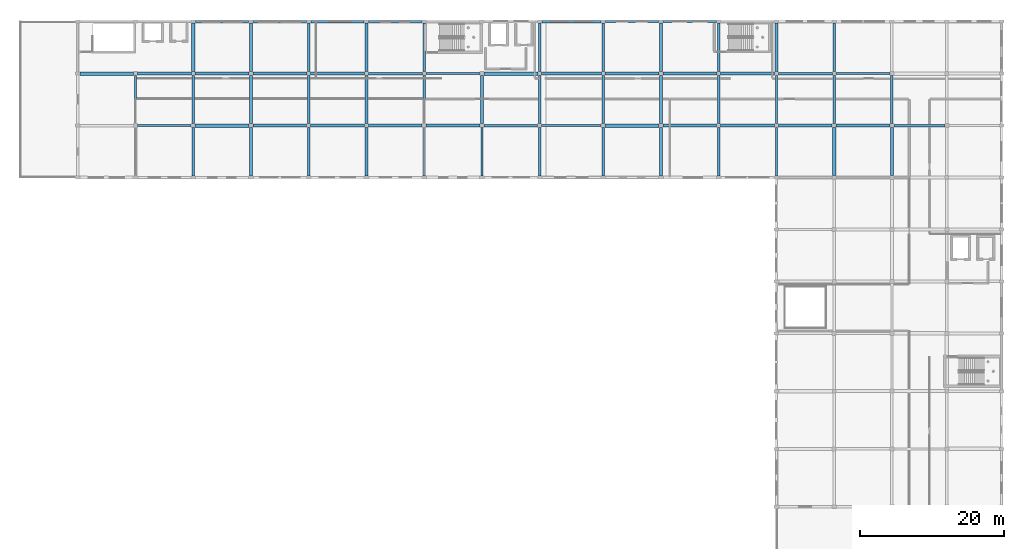
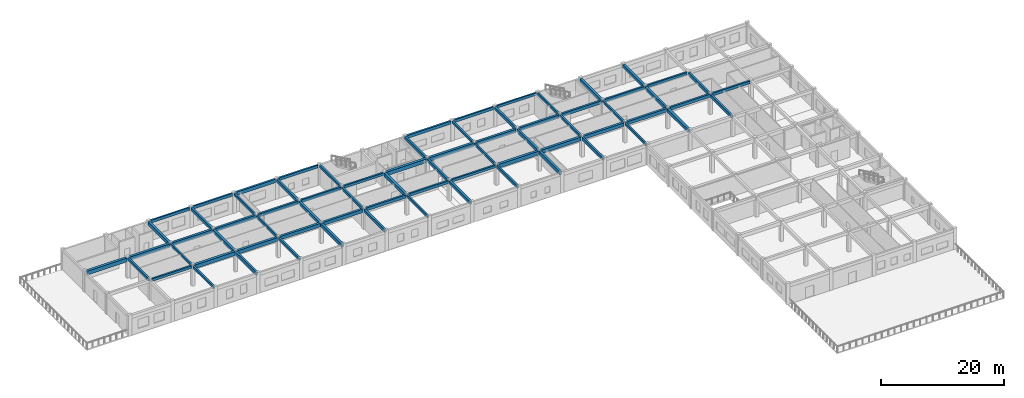
# One storey, part 7 of 19: 73 beams.
"""IFC4 building model written with IfcOpenShell, lengths in metres."""

from ifc_helpers import new_model, si_unit, direction, frame, origin, origin_2d, place, context, subcontext, project, spatial, rectangle, extrude, material, material_profile, profile_set, type_object, element, save


model = new_model("IFC4")

# Units and contexts
model_context = context("Model", 3, precision=1e-05, world=origin(), true_north=direction((0.0, 1.0)))
body_context = subcontext(model_context, "Body", "Model", "MODEL_VIEW")
ifc_project = project(units=[si_unit("LENGTHUNIT", "METRE"), si_unit("AREAUNIT", "SQUARE_METRE"), si_unit("VOLUMEUNIT", "CUBIC_METRE"), si_unit("PLANEANGLEUNIT", "RADIAN"), si_unit("MASSUNIT", "GRAM", prefix="KILO")], contexts=[model_context])

# Site, building, storey
site_placement = place(None, origin())
site = spatial("IfcSite", under=ifc_project, at=site_placement, CompositionType="ELEMENT")
building_placement = place(site_placement, origin())
building = spatial("IfcBuilding", under=site, at=building_placement, Name="Kharva Crest Polytechnic", CompositionType="ELEMENT")
storey_placement = place(building_placement, frame((0.0, 0.0, 21.60009765625)))
storey = spatial("IfcBuildingStorey", under=building, at=storey_placement, Name="L05", CompositionType="ELEMENT", Elevation=21.60009765625)

# Beams
ifc_material = material(Name="Concrete C35/45", Category="concrete")
ifc_material_profile_1 = material_profile(ifc_material, rectangle(XDim=0.300048828125, YDim=0.449951171875, at=origin_2d()), Name="RECT 300 X 450")
ifc_profile_set_1 = profile_set([ifc_material_profile_1], Name="Concrete C35/45")
beam_type_1 = type_object("IfcBeamType", Name="BM-RC-300X450", PredefinedType="BEAM", material=ifc_profile_set_1)
beam_1_placement = place(storey_placement, frame((72.0, 107.875, 3.7548828125), z_axis=(0.0, 1.0, 0.0), x_axis=(-1.0, 0.0, 0.0)))
element("IfcBeam", 1, at=beam_1_placement, inside=storey, type_object=beam_type_1, Name="L05 Girder 10/Q-R", PredefinedType="BEAM", context=body_context, shape_type="SweptSolid", body=[
    extrude(rectangle(XDim=0.300048828125, YDim=0.449951171875, at=origin_2d()), origin(), (0.0, 0.0, 1.0), 6.6650390625),
])
beam_2_placement = place(storey_placement, frame((88.0, 115.06005859375, 3.7548828125), z_axis=(0.0, 1.0, 0.0), x_axis=(-1.0, 0.0, 0.0)))
element("IfcBeam", 2, at=beam_2_placement, inside=storey, type_object=beam_type_1, Name="L05 Girder 12/R-S", PredefinedType="BEAM", context=body_context, shape_type="SweptSolid", body=[
    extrude(rectangle(XDim=0.300048828125, YDim=0.449951171875, at=origin_2d()), origin(), (0.0, 0.0, 1.0), 6.71484375),
])
beam_3_placement = place(storey_placement, frame((112.0, 100.625, 3.7548828125), z_axis=(0.0, 1.0, 0.0), x_axis=(-1.0, 0.0, 0.0)))
element("IfcBeam", 3, at=beam_3_placement, inside=storey, type_object=beam_type_1, Name="L05 Girder 15/P-Q", PredefinedType="BEAM", context=body_context, shape_type="SweptSolid", body=[
    extrude(rectangle(XDim=0.300048828125, YDim=0.449951171875, at=origin_2d()), origin(), (0.0, 0.0, 1.0), 6.715087890625),
])
beam_4_placement = place(storey_placement, frame((128.800048828125, 115.06005859375, 3.7548828125), z_axis=(0.0, 1.0, 0.0), x_axis=(-1.0, 0.0, 0.0)))
element("IfcBeam", 4, at=beam_4_placement, inside=storey, type_object=beam_type_1, Name="L05 Girder 17/R-S", PredefinedType="BEAM", context=body_context, shape_type="SweptSolid", body=[
    extrude(rectangle(XDim=0.300048828125, YDim=0.449951171875, at=origin_2d()), origin(), (0.0, 0.0, 1.0), 6.71484375),
])
beam_5_placement = place(storey_placement, frame((152.800048828125, 107.860107421875, 3.7548828125), z_axis=(0.0, 1.0, 0.0), x_axis=(-1.0, 0.0, 0.0)))
element("IfcBeam", 5, at=beam_5_placement, inside=storey, type_object=beam_type_1, Name="L05 Girder 20/Q-R", PredefinedType="BEAM", context=body_context, shape_type="SweptSolid", body=[
    extrude(rectangle(XDim=0.300048828125, YDim=0.449951171875, at=origin_2d()), origin(), (0.0, 0.0, 1.0), 6.664794921875),
])
ifc_material_profile_2 = material_profile(ifc_material, rectangle(XDim=0.300048828125, YDim=0.47998046875, at=origin_2d()), Name="RECT 300 X 480")
ifc_profile_set_2 = profile_set([ifc_material_profile_2], Name="Concrete C35/45")
beam_type_2 = type_object("IfcBeamType", Name="BM-RC-300X480", PredefinedType="BEAM", material=ifc_profile_set_2)
beam_6_placement = place(storey_placement, frame((72.0, 100.625, 3.739990234375), z_axis=(0.0, 1.0, 0.0), x_axis=(-1.0, 0.0, 0.0)))
element("IfcBeam", 6, at=beam_6_placement, inside=storey, type_object=beam_type_2, Name="L05 Girder 10/P-Q", PredefinedType="BEAM", context=body_context, shape_type="SweptSolid", body=[
    extrude(rectangle(XDim=0.300048828125, YDim=0.47998046875, at=origin_2d()), origin(), (0.0, 0.0, 1.0), 6.699951171875),
])
beam_7_placement = place(storey_placement, frame((88.0, 107.875, 3.739990234375), z_axis=(0.0, 1.0, 0.0), x_axis=(-1.0, 0.0, 0.0)))
element("IfcBeam", 7, at=beam_7_placement, inside=storey, type_object=beam_type_2, Name="L05 Girder 12/Q-R", PredefinedType="BEAM", context=body_context, shape_type="SweptSolid", body=[
    extrude(rectangle(XDim=0.300048828125, YDim=0.47998046875, at=origin_2d()), origin(), (0.0, 0.0, 1.0), 6.6650390625),
])
beam_8_placement = place(storey_placement, frame((104.0, 115.06005859375, 3.739990234375), z_axis=(0.0, 1.0, 0.0), x_axis=(-1.0, 0.0, 0.0)))
element("IfcBeam", 8, at=beam_8_placement, inside=storey, type_object=beam_type_2, Name="L05 Girder 14/R-S", PredefinedType="BEAM", context=body_context, shape_type="SweptSolid", body=[
    extrude(rectangle(XDim=0.300048828125, YDim=0.47998046875, at=origin_2d()), origin(), (0.0, 0.0, 1.0), 6.71484375),
])
beam_9_placement = place(storey_placement, frame((128.800048828125, 107.875, 3.739990234375), z_axis=(0.0, 1.0, 0.0), x_axis=(-1.0, 0.0, 0.0)))
element("IfcBeam", 9, at=beam_9_placement, inside=storey, type_object=beam_type_2, Name="L05 Girder 17/Q-R", PredefinedType="BEAM", context=body_context, shape_type="SweptSolid", body=[
    extrude(rectangle(XDim=0.300048828125, YDim=0.47998046875, at=origin_2d()), origin(), (0.0, 0.0, 1.0), 6.6650390625),
])
beam_10_placement = place(storey_placement, frame((144.800048828125, 115.06005859375, 3.739990234375), z_axis=(0.0, 1.0, 0.0), x_axis=(-1.0, 0.0, 0.0)))
element("IfcBeam", 10, at=beam_10_placement, inside=storey, type_object=beam_type_2, Name="L05 Girder 19/R-S", PredefinedType="BEAM", context=body_context, shape_type="SweptSolid", body=[
    extrude(rectangle(XDim=0.300048828125, YDim=0.47998046875, at=origin_2d()), origin(), (0.0, 0.0, 1.0), 6.71484375),
])
beam_11_placement = place(storey_placement, frame((152.800048828125, 100.625, 3.739990234375), z_axis=(0.0, 1.0, 0.0), x_axis=(-1.0, 0.0, 0.0)))
element("IfcBeam", 11, at=beam_11_placement, inside=storey, type_object=beam_type_2, Name="L05 Girder 20/P-Q", PredefinedType="BEAM", context=body_context, shape_type="SweptSolid", body=[
    extrude(rectangle(XDim=0.300048828125, YDim=0.47998046875, at=origin_2d()), origin(), (0.0, 0.0, 1.0), 6.715087890625),
])
ifc_material_profile_3 = material_profile(ifc_material, rectangle(XDim=0.320068359375, YDim=0.5, at=origin_2d()), Name="RECT 320 X 500")
ifc_profile_set_3 = profile_set([ifc_material_profile_3], Name="Concrete C35/45")
beam_type_3 = type_object("IfcBeamType", Name="BM-RC-320X500", PredefinedType="BEAM", material=ifc_profile_set_3)
beam_12_placement = place(storey_placement, frame((64.260009765625, 107.60009765625, 3.72998046875), z_axis=(1.0, 0.0, 0.0), x_axis=(0.0, 1.0, 0.0)))
element("IfcBeam", 12, at=beam_12_placement, inside=storey, type_object=beam_type_3, Name="L05 Beam Q/9-10", PredefinedType="BEAM", context=body_context, shape_type="SweptSolid", body=[
    extrude(rectangle(XDim=0.320068359375, YDim=0.5, at=origin_2d()), origin(), (0.0, 0.0, 1.0), 7.465087890625),
])
beam_13_placement = place(storey_placement, frame((120.27490234375, 107.60009765625, 3.72998046875), z_axis=(1.0, 0.0, 0.0), x_axis=(0.0, 1.0, 0.0)))
element("IfcBeam", 13, at=beam_13_placement, inside=storey, type_object=beam_type_3, Name="L05 Beam Q/16-17", PredefinedType="BEAM", context=body_context, shape_type="SweptSolid", body=[
    extrude(rectangle(XDim=0.320068359375, YDim=0.5, at=origin_2d()), origin(), (0.0, 0.0, 1.0), 8.25),
])
beam_14_placement = place(storey_placement, frame((104.260009765625, 114.800048828125, 3.72998046875), z_axis=(1.0, 0.0, 0.0), x_axis=(0.0, 1.0, 0.0)))
element("IfcBeam", 14, at=beam_14_placement, inside=storey, type_object=beam_type_3, Name="L05 Beam R/14-15", PredefinedType="BEAM", context=body_context, shape_type="SweptSolid", body=[
    extrude(rectangle(XDim=0.320068359375, YDim=0.5, at=origin_2d()), origin(), (0.0, 0.0, 1.0), 7.465087890625),
])
beam_15_placement = place(storey_placement, frame((161.06005859375, 114.800048828125, 3.72998046875), z_axis=(1.0, 0.0, 0.0), x_axis=(0.0, 1.0, 0.0)))
element("IfcBeam", 15, at=beam_15_placement, inside=storey, type_object=beam_type_3, Name="L05 Beam R/21-22", PredefinedType="BEAM", context=body_context, shape_type="SweptSolid", body=[
    extrude(rectangle(XDim=0.320068359375, YDim=0.5, at=origin_2d()), origin(), (0.0, 0.0, 1.0), 7.46484375),
])
ifc_material_profile_4 = material_profile(ifc_material, rectangle(XDim=0.340087890625, YDim=0.52001953125, at=origin_2d()), Name="RECT 340 X 520")
ifc_profile_set_4 = profile_set([ifc_material_profile_4], Name="Concrete C35/45")
beam_type_4 = type_object("IfcBeamType", Name="BM-RC-340X520", PredefinedType="BEAM", material=ifc_profile_set_4)
beam_16_placement = place(storey_placement, frame((64.0, 107.860107421875, 3.719970703125), z_axis=(0.0, 1.0, 0.0), x_axis=(-1.0, 0.0, 0.0)))
element("IfcBeam", 16, at=beam_16_placement, inside=storey, type_object=beam_type_4, Name="L05 Girder 9/Q-R", PredefinedType="BEAM", context=body_context, shape_type="SweptSolid", body=[
    extrude(rectangle(XDim=0.340087890625, YDim=0.52001953125, at=origin_2d()), origin(), (0.0, 0.0, 1.0), 6.664794921875),
])
beam_17_placement = place(storey_placement, frame((88.0, 100.625, 3.719970703125), z_axis=(0.0, 1.0, 0.0), x_axis=(-1.0, 0.0, 0.0)))
element("IfcBeam", 17, at=beam_17_placement, inside=storey, type_object=beam_type_4, Name="L05 Girder 12/P-Q", PredefinedType="BEAM", context=body_context, shape_type="SweptSolid", body=[
    extrude(rectangle(XDim=0.340087890625, YDim=0.52001953125, at=origin_2d()), origin(), (0.0, 0.0, 1.0), 6.699951171875),
])
beam_18_placement = place(storey_placement, frame((104.0, 107.875, 3.719970703125), z_axis=(0.0, 1.0, 0.0), x_axis=(-1.0, 0.0, 0.0)))
element("IfcBeam", 18, at=beam_18_placement, inside=storey, type_object=beam_type_4, Name="L05 Girder 14/Q-R", PredefinedType="BEAM", context=body_context, shape_type="SweptSolid", body=[
    extrude(rectangle(XDim=0.340087890625, YDim=0.52001953125, at=origin_2d()), origin(), (0.0, 0.0, 1.0), 6.6650390625),
])
beam_19_placement = place(storey_placement, frame((128.800048828125, 100.625, 3.719970703125), z_axis=(0.0, 1.0, 0.0), x_axis=(-1.0, 0.0, 0.0)))
element("IfcBeam", 19, at=beam_19_placement, inside=storey, type_object=beam_type_4, Name="L05 Girder 17/P-Q", PredefinedType="BEAM", context=body_context, shape_type="SweptSolid", body=[
    extrude(rectangle(XDim=0.340087890625, YDim=0.52001953125, at=origin_2d()), origin(), (0.0, 0.0, 1.0), 6.699951171875),
])
beam_20_placement = place(storey_placement, frame((144.800048828125, 107.875, 3.719970703125), z_axis=(0.0, 1.0, 0.0), x_axis=(-1.0, 0.0, 0.0)))
element("IfcBeam", 20, at=beam_20_placement, inside=storey, type_object=beam_type_4, Name="L05 Girder 19/Q-R", PredefinedType="BEAM", context=body_context, shape_type="SweptSolid", body=[
    extrude(rectangle(XDim=0.340087890625, YDim=0.52001953125, at=origin_2d()), origin(), (0.0, 0.0, 1.0), 6.6650390625),
])
ifc_material_profile_5 = material_profile(ifc_material, rectangle(XDim=0.35009765625, YDim=0.550048828125, at=origin_2d()), Name="RECT 350 X 550")
ifc_profile_set_5 = profile_set([ifc_material_profile_5], Name="Concrete C35/45")
beam_type_5 = type_object("IfcBeamType", Name="BM-RC-350X550", PredefinedType="BEAM", material=ifc_profile_set_5)
beam_21_placement = place(storey_placement, frame((112.260009765625, 107.60009765625, 3.704833984375), z_axis=(1.0, 0.0, 0.0), x_axis=(0.0, 1.0, 0.0)))
element("IfcBeam", 21, at=beam_21_placement, inside=storey, type_object=beam_type_5, Name="L05 Beam Q/15-16", PredefinedType="BEAM", context=body_context, shape_type="SweptSolid", body=[
    extrude(rectangle(XDim=0.35009765625, YDim=0.550048828125, at=origin_2d()), origin(), (0.0, 0.0, 1.0), 7.465087890625),
])
beam_22_placement = place(storey_placement, frame((169.06005859375, 107.60009765625, 3.704833984375), z_axis=(1.0, 0.0, 0.0), x_axis=(0.0, 1.0, 0.0)))
element("IfcBeam", 22, at=beam_22_placement, inside=storey, type_object=beam_type_5, Name="L05 Beam Q/22-23", PredefinedType="BEAM", context=body_context, shape_type="SweptSolid", body=[
    extrude(rectangle(XDim=0.35009765625, YDim=0.550048828125, at=origin_2d()), origin(), (0.0, 0.0, 1.0), 7.06494140625),
])
for number, where, z_axis, x_axis, name in (
    (23, (96.27490234375, 114.800048828125, 3.704833984375), (1.0, 0.0, 0.0), (0.0, 1.0, 0.0), "L05 Beam R/13-14"),
    (24, (153.074951171875, 114.800048828125, 3.704833984375), (1.0, 0.0, 0.0), (0.0, 1.0, 0.0), "L05 Beam R/20-21"),
):
    element("IfcBeam", number, at=place(storey_placement, frame(where, z_axis=z_axis, x_axis=x_axis)), inside=storey, type_object=beam_type_5, Name=name, PredefinedType="BEAM", context=body_context, shape_type="SweptSolid", body=[
        extrude(rectangle(XDim=0.35009765625, YDim=0.550048828125, at=origin_2d()), origin(), (0.0, 0.0, 1.0), 7.465087890625),
    ])
ifc_material_profile_6 = material_profile(ifc_material, rectangle(XDim=0.360107421875, YDim=0.580078125, at=origin_2d()), Name="RECT 360 X 580")
ifc_profile_set_6 = profile_set([ifc_material_profile_6], Name="Concrete C35/45")
beam_type_6 = type_object("IfcBeamType", Name="BM-RC-360X580", PredefinedType="BEAM", material=ifc_profile_set_6)
for number, where, z_axis, x_axis, name in (
    (25, (80.0, 115.074951171875, 3.68994140625), (0.0, 1.0, 0.0), (-1.0, 0.0, 0.0), "L05 Girder 11/R-S"),
    (26, (104.0, 100.625, 3.68994140625), (0.0, 1.0, 0.0), (-1.0, 0.0, 0.0), "L05 Girder 14/P-Q"),
):
    element("IfcBeam", number, at=place(storey_placement, frame(where, z_axis=z_axis, x_axis=x_axis)), inside=storey, type_object=beam_type_6, Name=name, PredefinedType="BEAM", context=body_context, shape_type="SweptSolid", body=[
        extrude(rectangle(XDim=0.360107421875, YDim=0.580078125, at=origin_2d()), origin(), (0.0, 0.0, 1.0), 6.699951171875),
    ])
beam_23_placement = place(storey_placement, frame((120.0, 115.06005859375, 3.68994140625), z_axis=(0.0, 1.0, 0.0), x_axis=(-1.0, 0.0, 0.0)))
element("IfcBeam", 27, at=beam_23_placement, inside=storey, type_object=beam_type_6, Name="L05 Girder 16/R-S", PredefinedType="BEAM", context=body_context, shape_type="SweptSolid", body=[
    extrude(rectangle(XDim=0.360107421875, YDim=0.580078125, at=origin_2d()), origin(), (0.0, 0.0, 1.0), 6.71484375),
])
beam_24_placement = place(storey_placement, frame((144.800048828125, 100.625, 3.68994140625), z_axis=(0.0, 1.0, 0.0), x_axis=(-1.0, 0.0, 0.0)))
element("IfcBeam", 28, at=beam_24_placement, inside=storey, type_object=beam_type_6, Name="L05 Girder 19/P-Q", PredefinedType="BEAM", context=body_context, shape_type="SweptSolid", body=[
    extrude(rectangle(XDim=0.360107421875, YDim=0.580078125, at=origin_2d()), origin(), (0.0, 0.0, 1.0), 6.699951171875),
])
beam_25_placement = place(storey_placement, frame((168.800048828125, 107.860107421875, 3.68994140625), z_axis=(0.0, 1.0, 0.0), x_axis=(-1.0, 0.0, 0.0)))
element("IfcBeam", 29, at=beam_25_placement, inside=storey, type_object=beam_type_6, Name="L05 Girder 22/Q-R", PredefinedType="BEAM", context=body_context, shape_type="SweptSolid", body=[
    extrude(rectangle(XDim=0.360107421875, YDim=0.580078125, at=origin_2d()), origin(), (0.0, 0.0, 1.0), 6.664794921875),
])
ifc_material_profile_7 = material_profile(ifc_material, rectangle(XDim=0.3798828125, YDim=0.60009765625, at=origin_2d()), Name="RECT 380 X 600")
ifc_profile_set_7 = profile_set([ifc_material_profile_7], Name="Concrete C35/45")
beam_type_7 = type_object("IfcBeamType", Name="BM-RC-380X600", PredefinedType="BEAM", material=ifc_profile_set_7)
for number, where, z_axis, x_axis, name in (
    (30, (104.27490234375, 107.60009765625, 3.679931640625), (1.0, 0.0, 0.0), (0.0, 1.0, 0.0), "L05 Beam Q/14-15"),
    (31, (161.074951171875, 107.60009765625, 3.679931640625), (1.0, 0.0, 0.0), (0.0, 1.0, 0.0), "L05 Beam Q/21-22"),
    (32, (88.260009765625, 114.800048828125, 3.679931640625), (1.0, 0.0, 0.0), (0.0, 1.0, 0.0), "L05 Beam R/12-13"),
):
    element("IfcBeam", number, at=place(storey_placement, frame(where, z_axis=z_axis, x_axis=x_axis)), inside=storey, type_object=beam_type_7, Name=name, PredefinedType="BEAM", context=body_context, shape_type="SweptSolid", body=[
        extrude(rectangle(XDim=0.3798828125, YDim=0.60009765625, at=origin_2d()), origin(), (0.0, 0.0, 1.0), 7.465087890625),
    ])
beam_26_placement = place(storey_placement, frame((145.06005859375, 114.800048828125, 3.679931640625), z_axis=(1.0, 0.0, 0.0), x_axis=(0.0, 1.0, 0.0)))
element("IfcBeam", 33, at=beam_26_placement, inside=storey, type_object=beam_type_7, Name="L05 Beam R/19-20", PredefinedType="BEAM", context=body_context, shape_type="SweptSolid", body=[
    extrude(rectangle(XDim=0.3798828125, YDim=0.60009765625, at=origin_2d()), origin(), (0.0, 0.0, 1.0), 7.46484375),
])
ifc_material_profile_8 = material_profile(ifc_material, rectangle(XDim=0.39990234375, YDim=0.580078125, at=origin_2d()), Name="RECT 400 X 580")
ifc_profile_set_8 = profile_set([ifc_material_profile_8], Name="Concrete C35/45")
beam_type_8 = type_object("IfcBeamType", Name="BM-RC-400X580", PredefinedType="BEAM", material=ifc_profile_set_8)
beam_27_placement = place(storey_placement, frame((80.0, 107.860107421875, 3.68994140625), z_axis=(0.0, 1.0, 0.0), x_axis=(-1.0, 0.0, 0.0)))
element("IfcBeam", 34, at=beam_27_placement, inside=storey, type_object=beam_type_8, Name="L05 Girder 11/Q-R", PredefinedType="BEAM", context=body_context, shape_type="SweptSolid", body=[
    extrude(rectangle(XDim=0.39990234375, YDim=0.580078125, at=origin_2d()), origin(), (0.0, 0.0, 1.0), 6.664794921875),
])
beam_28_placement = place(storey_placement, frame((96.0, 115.074951171875, 3.68994140625), z_axis=(0.0, 1.0, 0.0), x_axis=(-1.0, 0.0, 0.0)))
element("IfcBeam", 35, at=beam_28_placement, inside=storey, type_object=beam_type_8, Name="L05 Girder 13/R-S", PredefinedType="BEAM", context=body_context, shape_type="SweptSolid", body=[
    extrude(rectangle(XDim=0.39990234375, YDim=0.580078125, at=origin_2d()), origin(), (0.0, 0.0, 1.0), 6.699951171875),
])
beam_29_placement = place(storey_placement, frame((120.0, 107.875, 3.68994140625), z_axis=(0.0, 1.0, 0.0), x_axis=(-1.0, 0.0, 0.0)))
element("IfcBeam", 36, at=beam_29_placement, inside=storey, type_object=beam_type_8, Name="L05 Girder 16/Q-R", PredefinedType="BEAM", context=body_context, shape_type="SweptSolid", body=[
    extrude(rectangle(XDim=0.39990234375, YDim=0.580078125, at=origin_2d()), origin(), (0.0, 0.0, 1.0), 6.6650390625),
])
beam_30_placement = place(storey_placement, frame((136.800048828125, 115.074951171875, 3.68994140625), z_axis=(0.0, 1.0, 0.0), x_axis=(-1.0, 0.0, 0.0)))
element("IfcBeam", 37, at=beam_30_placement, inside=storey, type_object=beam_type_8, Name="L05 Girder 18/R-S", PredefinedType="BEAM", context=body_context, shape_type="SweptSolid", body=[
    extrude(rectangle(XDim=0.39990234375, YDim=0.580078125, at=origin_2d()), origin(), (0.0, 0.0, 1.0), 6.699951171875),
])
beam_31_placement = place(storey_placement, frame((160.800048828125, 115.06005859375, 3.68994140625), z_axis=(0.0, 1.0, 0.0), x_axis=(-1.0, 0.0, 0.0)))
element("IfcBeam", 38, at=beam_31_placement, inside=storey, type_object=beam_type_8, Name="L05 Girder 21/R-S", PredefinedType="BEAM", context=body_context, shape_type="SweptSolid", body=[
    extrude(rectangle(XDim=0.39990234375, YDim=0.580078125, at=origin_2d()), origin(), (0.0, 0.0, 1.0), 6.71484375),
])
beam_32_placement = place(storey_placement, frame((168.800048828125, 100.675048828125, 3.68994140625), z_axis=(0.0, 1.0, 0.0), x_axis=(-1.0, 0.0, 0.0)))
element("IfcBeam", 39, at=beam_32_placement, inside=storey, type_object=beam_type_8, Name="L05 Girder 22/P-Q", PredefinedType="BEAM", context=body_context, shape_type="SweptSolid", body=[
    extrude(rectangle(XDim=0.39990234375, YDim=0.580078125, at=origin_2d()), origin(), (0.0, 0.0, 1.0), 6.6650390625),
])
ifc_material_profile_9 = material_profile(ifc_material, rectangle(XDim=0.39990234375, YDim=0.6201171875, at=origin_2d()), Name="RECT 400 X 620")
ifc_profile_set_9 = profile_set([ifc_material_profile_9], Name="Concrete C35/45")
beam_type_9 = type_object("IfcBeamType", Name="BM-RC-400X620", PredefinedType="BEAM", material=ifc_profile_set_9)
beam_33_placement = place(storey_placement, frame((80.0, 100.625, 3.669921875), z_axis=(0.0, 1.0, 0.0), x_axis=(-1.0, 0.0, 0.0)))
element("IfcBeam", 40, at=beam_33_placement, inside=storey, type_object=beam_type_9, Name="L05 Girder 11/P-Q", PredefinedType="BEAM", context=body_context, shape_type="SweptSolid", body=[
    extrude(rectangle(XDim=0.39990234375, YDim=0.6201171875, at=origin_2d()), origin(), (0.0, 0.0, 1.0), 6.715087890625),
])
beam_34_placement = place(storey_placement, frame((96.0, 107.860107421875, 3.669921875), z_axis=(0.0, 1.0, 0.0), x_axis=(-1.0, 0.0, 0.0)))
element("IfcBeam", 41, at=beam_34_placement, inside=storey, type_object=beam_type_9, Name="L05 Girder 13/Q-R", PredefinedType="BEAM", context=body_context, shape_type="SweptSolid", body=[
    extrude(rectangle(XDim=0.39990234375, YDim=0.6201171875, at=origin_2d()), origin(), (0.0, 0.0, 1.0), 6.664794921875),
])
beam_35_placement = place(storey_placement, frame((120.0, 100.625, 3.669921875), z_axis=(0.0, 1.0, 0.0), x_axis=(-1.0, 0.0, 0.0)))
element("IfcBeam", 42, at=beam_35_placement, inside=storey, type_object=beam_type_9, Name="L05 Girder 16/P-Q", PredefinedType="BEAM", context=body_context, shape_type="SweptSolid", body=[
    extrude(rectangle(XDim=0.39990234375, YDim=0.6201171875, at=origin_2d()), origin(), (0.0, 0.0, 1.0), 6.699951171875),
])
beam_36_placement = place(storey_placement, frame((136.800048828125, 107.860107421875, 3.669921875), z_axis=(0.0, 1.0, 0.0), x_axis=(-1.0, 0.0, 0.0)))
element("IfcBeam", 43, at=beam_36_placement, inside=storey, type_object=beam_type_9, Name="L05 Girder 18/Q-R", PredefinedType="BEAM", context=body_context, shape_type="SweptSolid", body=[
    extrude(rectangle(XDim=0.39990234375, YDim=0.6201171875, at=origin_2d()), origin(), (0.0, 0.0, 1.0), 6.664794921875),
])
beam_37_placement = place(storey_placement, frame((160.800048828125, 107.875, 3.669921875), z_axis=(0.0, 1.0, 0.0), x_axis=(-1.0, 0.0, 0.0)))
element("IfcBeam", 44, at=beam_37_placement, inside=storey, type_object=beam_type_9, Name="L05 Girder 21/Q-R", PredefinedType="BEAM", context=body_context, shape_type="SweptSolid", body=[
    extrude(rectangle(XDim=0.39990234375, YDim=0.6201171875, at=origin_2d()), origin(), (0.0, 0.0, 1.0), 6.6650390625),
])
ifc_material_profile_10 = material_profile(ifc_material, rectangle(XDim=0.39990234375, YDim=0.64990234375, at=origin_2d()), Name="RECT 400 X 650")
ifc_profile_set_10 = profile_set([ifc_material_profile_10], Name="Concrete C35/45")
beam_type_10 = type_object("IfcBeamType", Name="BM-RC-400X650", PredefinedType="BEAM", material=ifc_profile_set_10)
beam_38_placement = place(storey_placement, frame((96.260009765625, 107.60009765625, 3.65478515625), z_axis=(1.0, 0.0, 0.0), x_axis=(0.0, 1.0, 0.0)))
element("IfcBeam", 45, at=beam_38_placement, inside=storey, type_object=beam_type_10, Name="L05 Beam Q/13-14", PredefinedType="BEAM", context=body_context, shape_type="SweptSolid", body=[
    extrude(rectangle(XDim=0.39990234375, YDim=0.64990234375, at=origin_2d()), origin(), (0.0, 0.0, 1.0), 7.465087890625),
])
beam_39_placement = place(storey_placement, frame((153.06005859375, 107.60009765625, 3.65478515625), z_axis=(1.0, 0.0, 0.0), x_axis=(0.0, 1.0, 0.0)))
element("IfcBeam", 46, at=beam_39_placement, inside=storey, type_object=beam_type_10, Name="L05 Beam Q/20-21", PredefinedType="BEAM", context=body_context, shape_type="SweptSolid", body=[
    extrude(rectangle(XDim=0.39990234375, YDim=0.64990234375, at=origin_2d()), origin(), (0.0, 0.0, 1.0), 7.46484375),
])
for number, where, z_axis, x_axis, name in (
    (47, (80.27490234375, 114.800048828125, 3.65478515625), (1.0, 0.0, 0.0), (0.0, 1.0, 0.0), "L05 Beam R/11-12"),
    (48, (137.074951171875, 114.800048828125, 3.65478515625), (1.0, 0.0, 0.0), (0.0, 1.0, 0.0), "L05 Beam R/18-19"),
):
    element("IfcBeam", number, at=place(storey_placement, frame(where, z_axis=z_axis, x_axis=x_axis)), inside=storey, type_object=beam_type_10, Name=name, PredefinedType="BEAM", context=body_context, shape_type="SweptSolid", body=[
        extrude(rectangle(XDim=0.39990234375, YDim=0.64990234375, at=origin_2d()), origin(), (0.0, 0.0, 1.0), 7.465087890625),
    ])
ifc_material_profile_11 = material_profile(ifc_material, rectangle(XDim=0.419921875, YDim=0.659912109375, at=origin_2d()), Name="RECT 420 X 660")
ifc_profile_set_11 = profile_set([ifc_material_profile_11], Name="Concrete C35/45")
beam_type_11 = type_object("IfcBeamType", Name="BM-RC-420X660", PredefinedType="BEAM", material=ifc_profile_set_11)
for number, where, z_axis, x_axis, name in (
    (49, (88.27490234375, 107.60009765625, 3.64990234375), (1.0, 0.0, 0.0), (0.0, 1.0, 0.0), "L05 Beam Q/12-13"),
    (50, (145.074951171875, 107.60009765625, 3.64990234375), (1.0, 0.0, 0.0), (0.0, 1.0, 0.0), "L05 Beam Q/19-20"),
    (51, (72.260009765625, 114.800048828125, 3.64990234375), (1.0, 0.0, 0.0), (0.0, 1.0, 0.0), "L05 Beam R/10-11"),
):
    element("IfcBeam", number, at=place(storey_placement, frame(where, z_axis=z_axis, x_axis=x_axis)), inside=storey, type_object=beam_type_11, Name=name, PredefinedType="BEAM", context=body_context, shape_type="SweptSolid", body=[
        extrude(rectangle(XDim=0.419921875, YDim=0.659912109375, at=origin_2d()), origin(), (0.0, 0.0, 1.0), 7.465087890625),
    ])
beam_40_placement = place(storey_placement, frame((129.06005859375, 114.800048828125, 3.64990234375), z_axis=(1.0, 0.0, 0.0), x_axis=(0.0, 1.0, 0.0)))
element("IfcBeam", 52, at=beam_40_placement, inside=storey, type_object=beam_type_11, Name="L05 Beam R/17-18", PredefinedType="BEAM", context=body_context, shape_type="SweptSolid", body=[
    extrude(rectangle(XDim=0.419921875, YDim=0.659912109375, at=origin_2d()), origin(), (0.0, 0.0, 1.0), 7.46484375),
])
ifc_material_profile_12 = material_profile(ifc_material, rectangle(XDim=0.449951171875, YDim=0.679931640625, at=origin_2d()), Name="RECT 450 X 680")
ifc_profile_set_12 = profile_set([ifc_material_profile_12], Name="Concrete C35/45")
beam_type_12 = type_object("IfcBeamType", Name="BM-RC-450X680", PredefinedType="BEAM", material=ifc_profile_set_12)
beam_41_placement = place(storey_placement, frame((72.0, 115.06005859375, 3.639892578125), z_axis=(0.0, 1.0, 0.0), x_axis=(-1.0, 0.0, 0.0)))
element("IfcBeam", 53, at=beam_41_placement, inside=storey, type_object=beam_type_12, Name="L05 Girder 10/R-S", PredefinedType="BEAM", context=body_context, shape_type="SweptSolid", body=[
    extrude(rectangle(XDim=0.449951171875, YDim=0.679931640625, at=origin_2d()), origin(), (0.0, 0.0, 1.0), 6.71484375),
])
beam_42_placement = place(storey_placement, frame((96.0, 100.625, 3.639892578125), z_axis=(0.0, 1.0, 0.0), x_axis=(-1.0, 0.0, 0.0)))
element("IfcBeam", 54, at=beam_42_placement, inside=storey, type_object=beam_type_12, Name="L05 Girder 13/P-Q", PredefinedType="BEAM", context=body_context, shape_type="SweptSolid", body=[
    extrude(rectangle(XDim=0.449951171875, YDim=0.679931640625, at=origin_2d()), origin(), (0.0, 0.0, 1.0), 6.715087890625),
])
beam_43_placement = place(storey_placement, frame((112.0, 107.860107421875, 3.639892578125), z_axis=(0.0, 1.0, 0.0), x_axis=(-1.0, 0.0, 0.0)))
element("IfcBeam", 55, at=beam_43_placement, inside=storey, type_object=beam_type_12, Name="L05 Girder 15/Q-R", PredefinedType="BEAM", context=body_context, shape_type="SweptSolid", body=[
    extrude(rectangle(XDim=0.449951171875, YDim=0.679931640625, at=origin_2d()), origin(), (0.0, 0.0, 1.0), 6.664794921875),
])
beam_44_placement = place(storey_placement, frame((136.800048828125, 100.625, 3.639892578125), z_axis=(0.0, 1.0, 0.0), x_axis=(-1.0, 0.0, 0.0)))
element("IfcBeam", 56, at=beam_44_placement, inside=storey, type_object=beam_type_12, Name="L05 Girder 18/P-Q", PredefinedType="BEAM", context=body_context, shape_type="SweptSolid", body=[
    extrude(rectangle(XDim=0.449951171875, YDim=0.679931640625, at=origin_2d()), origin(), (0.0, 0.0, 1.0), 6.715087890625),
])
beam_45_placement = place(storey_placement, frame((152.800048828125, 115.074951171875, 3.639892578125), z_axis=(0.0, 1.0, 0.0), x_axis=(-1.0, 0.0, 0.0)))
element("IfcBeam", 57, at=beam_45_placement, inside=storey, type_object=beam_type_12, Name="L05 Girder 20/R-S", PredefinedType="BEAM", context=body_context, shape_type="SweptSolid", body=[
    extrude(rectangle(XDim=0.449951171875, YDim=0.679931640625, at=origin_2d()), origin(), (0.0, 0.0, 1.0), 6.699951171875),
])
beam_46_placement = place(storey_placement, frame((160.800048828125, 100.659912109375, 3.639892578125), z_axis=(0.0, 1.0, 0.0), x_axis=(-1.0, 0.0, 0.0)))
element("IfcBeam", 58, at=beam_46_placement, inside=storey, type_object=beam_type_12, Name="L05 Girder 21/P-Q", PredefinedType="BEAM", context=body_context, shape_type="SweptSolid", body=[
    extrude(rectangle(XDim=0.449951171875, YDim=0.679931640625, at=origin_2d()), origin(), (0.0, 0.0, 1.0), 6.6650390625),
])
ifc_material_profile_13 = material_profile(ifc_material, rectangle(XDim=0.449951171875, YDim=0.719970703125, at=origin_2d()), Name="RECT 450 X 720")
ifc_profile_set_13 = profile_set([ifc_material_profile_13], Name="Concrete C35/45")
beam_type_13 = type_object("IfcBeamType", Name="BM-RC-450X720", PredefinedType="BEAM", material=ifc_profile_set_13)
beam_47_placement = place(storey_placement, frame((80.260009765625, 107.60009765625, 3.619873046875), z_axis=(1.0, 0.0, 0.0), x_axis=(0.0, 1.0, 0.0)))
element("IfcBeam", 59, at=beam_47_placement, inside=storey, type_object=beam_type_13, Name="L05 Beam Q/11-12", PredefinedType="BEAM", context=body_context, shape_type="SweptSolid", body=[
    extrude(rectangle(XDim=0.449951171875, YDim=0.719970703125, at=origin_2d()), origin(), (0.0, 0.0, 1.0), 7.465087890625),
])
beam_48_placement = place(storey_placement, frame((137.06005859375, 107.60009765625, 3.619873046875), z_axis=(1.0, 0.0, 0.0), x_axis=(0.0, 1.0, 0.0)))
element("IfcBeam", 60, at=beam_48_placement, inside=storey, type_object=beam_type_13, Name="L05 Beam Q/18-19", PredefinedType="BEAM", context=body_context, shape_type="SweptSolid", body=[
    extrude(rectangle(XDim=0.449951171875, YDim=0.719970703125, at=origin_2d()), origin(), (0.0, 0.0, 1.0), 7.46484375),
])
beam_49_placement = place(storey_placement, frame((64.27490234375, 114.800048828125, 3.619873046875), z_axis=(1.0, 0.0, 0.0), x_axis=(0.0, 1.0, 0.0)))
element("IfcBeam", 61, at=beam_49_placement, inside=storey, type_object=beam_type_13, Name="L05 Beam R/9-10", PredefinedType="BEAM", context=body_context, shape_type="SweptSolid", body=[
    extrude(rectangle(XDim=0.449951171875, YDim=0.719970703125, at=origin_2d()), origin(), (0.0, 0.0, 1.0), 7.465087890625),
])
beam_50_placement = place(storey_placement, frame((120.260009765625, 114.800048828125, 3.619873046875), z_axis=(1.0, 0.0, 0.0), x_axis=(0.0, 1.0, 0.0)))
element("IfcBeam", 62, at=beam_50_placement, inside=storey, type_object=beam_type_13, Name="L05 Beam R/16-17", PredefinedType="BEAM", context=body_context, shape_type="SweptSolid", body=[
    extrude(rectangle(XDim=0.449951171875, YDim=0.719970703125, at=origin_2d()), origin(), (0.0, 0.0, 1.0), 8.280029296875),
])
ifc_material_profile_14 = material_profile(ifc_material, rectangle(XDim=0.47998046875, YDim=0.75, at=origin_2d()), Name="RECT 480 X 750")
ifc_profile_set_14 = profile_set([ifc_material_profile_14], Name="Concrete C35/45")
beam_type_14 = type_object("IfcBeamType", Name="BM-RC-480X750", PredefinedType="BEAM", material=ifc_profile_set_14)
for number, where, z_axis, x_axis, name in (
    (63, (72.27490234375, 107.60009765625, 3.60498046875), (1.0, 0.0, 0.0), (0.0, 1.0, 0.0), "L05 Beam Q/10-11"),
    (64, (129.074951171875, 107.60009765625, 3.60498046875), (1.0, 0.0, 0.0), (0.0, 1.0, 0.0), "L05 Beam Q/17-18"),
):
    element("IfcBeam", number, at=place(storey_placement, frame(where, z_axis=z_axis, x_axis=x_axis)), inside=storey, type_object=beam_type_14, Name=name, PredefinedType="BEAM", context=body_context, shape_type="SweptSolid", body=[
        extrude(rectangle(XDim=0.47998046875, YDim=0.75, at=origin_2d()), origin(), (0.0, 0.0, 1.0), 7.465087890625),
    ])
beam_51_placement = place(storey_placement, frame((56.31005859375, 114.800048828125, 3.60498046875), z_axis=(1.0, 0.0, 0.0), x_axis=(0.0, 1.0, 0.0)))
element("IfcBeam", 65, at=beam_51_placement, inside=storey, type_object=beam_type_14, Name="L05 Beam R/8-9", PredefinedType="BEAM", context=body_context, shape_type="SweptSolid", body=[
    extrude(rectangle(XDim=0.47998046875, YDim=0.75, at=origin_2d()), origin(), (0.0, 0.0, 1.0), 7.4150390625),
])
beam_52_placement = place(storey_placement, frame((112.27490234375, 114.800048828125, 3.60498046875), z_axis=(1.0, 0.0, 0.0), x_axis=(0.0, 1.0, 0.0)))
element("IfcBeam", 66, at=beam_52_placement, inside=storey, type_object=beam_type_14, Name="L05 Beam R/15-16", PredefinedType="BEAM", context=body_context, shape_type="SweptSolid", body=[
    extrude(rectangle(XDim=0.47998046875, YDim=0.75, at=origin_2d()), origin(), (0.0, 0.0, 1.0), 7.465087890625),
])
ifc_material_profile_15 = material_profile(ifc_material, rectangle(XDim=0.280029296875, YDim=0.5, at=origin_2d()), Name="RECT 280 X 500")
ifc_profile_set_15 = profile_set([ifc_material_profile_15], Name="Concrete C35/45")
beam_type_15 = type_object("IfcBeamType", Name="SP-RC-280X500", PredefinedType="SPANDREL", material=ifc_profile_set_15)
beam_53_placement = place(storey_placement, frame((137.110107421875, 122.0, 3.72998046875), z_axis=(1.0, 0.0, 0.0), x_axis=(0.0, 1.0, 0.0)))
element("IfcBeam", 67, at=beam_53_placement, inside=storey, type_object=beam_type_15, Name="L05 Beam S/18-19", PredefinedType="SPANDREL", context=body_context, shape_type="SweptSolid", body=[
    extrude(rectangle(XDim=0.280029296875, YDim=0.5, at=origin_2d()), origin(), (0.0, 0.0, 1.0), 7.364990234375),
])
ifc_material_profile_16 = material_profile(ifc_material, rectangle(XDim=0.300048828125, YDim=0.550048828125, at=origin_2d()), Name="RECT 300 X 550")
ifc_profile_set_16 = profile_set([ifc_material_profile_16], Name="Concrete C35/45")
beam_type_16 = type_object("IfcBeamType", Name="SP-RC-300X550", PredefinedType="SPANDREL", material=ifc_profile_set_16)
for number, where, z_axis, x_axis, name in (
    (68, (72.324951171875, 122.0, 3.704833984375), (1.0, 0.0, 0.0), (0.0, 1.0, 0.0), "L05 Beam S/10-11"),
    (69, (80.31005859375, 122.0, 3.704833984375), (1.0, 0.0, 0.0), (0.0, 1.0, 0.0), "L05 Beam S/11-12"),
    (70, (96.31005859375, 122.0, 3.704833984375), (1.0, 0.0, 0.0), (0.0, 1.0, 0.0), "L05 Beam S/13-14"),
    (71, (129.125, 122.0, 3.704833984375), (1.0, 0.0, 0.0), (0.0, 1.0, 0.0), "L05 Beam S/17-18"),
):
    element("IfcBeam", number, at=place(storey_placement, frame(where, z_axis=z_axis, x_axis=x_axis)), inside=storey, type_object=beam_type_16, Name=name, PredefinedType="SPANDREL", context=body_context, shape_type="SweptSolid", body=[
        extrude(rectangle(XDim=0.300048828125, YDim=0.550048828125, at=origin_2d()), origin(), (0.0, 0.0, 1.0), 7.364990234375),
    ])
ifc_material_profile_17 = material_profile(ifc_material, rectangle(XDim=0.340087890625, YDim=0.60009765625, at=origin_2d()), Name="RECT 340 X 600")
ifc_profile_set_17 = profile_set([ifc_material_profile_17], Name="Concrete C35/45")
beam_type_17 = type_object("IfcBeamType", Name="SP-RC-340X600", PredefinedType="SPANDREL", material=ifc_profile_set_17)
beam_54_placement = place(storey_placement, frame((120.324951171875, 122.0, 3.679931640625), z_axis=(1.0, 0.0, 0.0), x_axis=(0.0, 1.0, 0.0)))
element("IfcBeam", 72, at=beam_54_placement, inside=storey, type_object=beam_type_17, Name="L05 Beam S/16-17", PredefinedType="SPANDREL", context=body_context, shape_type="SweptSolid", body=[
    extrude(rectangle(XDim=0.340087890625, YDim=0.60009765625, at=origin_2d()), origin(), (0.0, 0.0, 1.0), 8.150146484375),
])
ifc_material_profile_18 = material_profile(ifc_material, rectangle(XDim=0.3798828125, YDim=0.679931640625, at=origin_2d()), Name="RECT 380 X 680")
ifc_profile_set_18 = profile_set([ifc_material_profile_18], Name="Concrete C35/45")
beam_type_18 = type_object("IfcBeamType", Name="SP-RC-380X680", PredefinedType="SPANDREL", material=ifc_profile_set_18)
beam_55_placement = place(storey_placement, frame((88.324951171875, 122.0, 3.639892578125), z_axis=(1.0, 0.0, 0.0), x_axis=(0.0, 1.0, 0.0)))
element("IfcBeam", 73, at=beam_55_placement, inside=storey, type_object=beam_type_18, Name="L05 Beam S/12-13", PredefinedType="SPANDREL", context=body_context, shape_type="SweptSolid", body=[
    extrude(rectangle(XDim=0.3798828125, YDim=0.679931640625, at=origin_2d()), origin(), (0.0, 0.0, 1.0), 7.364990234375),
])

save(model, "model.ifc")
